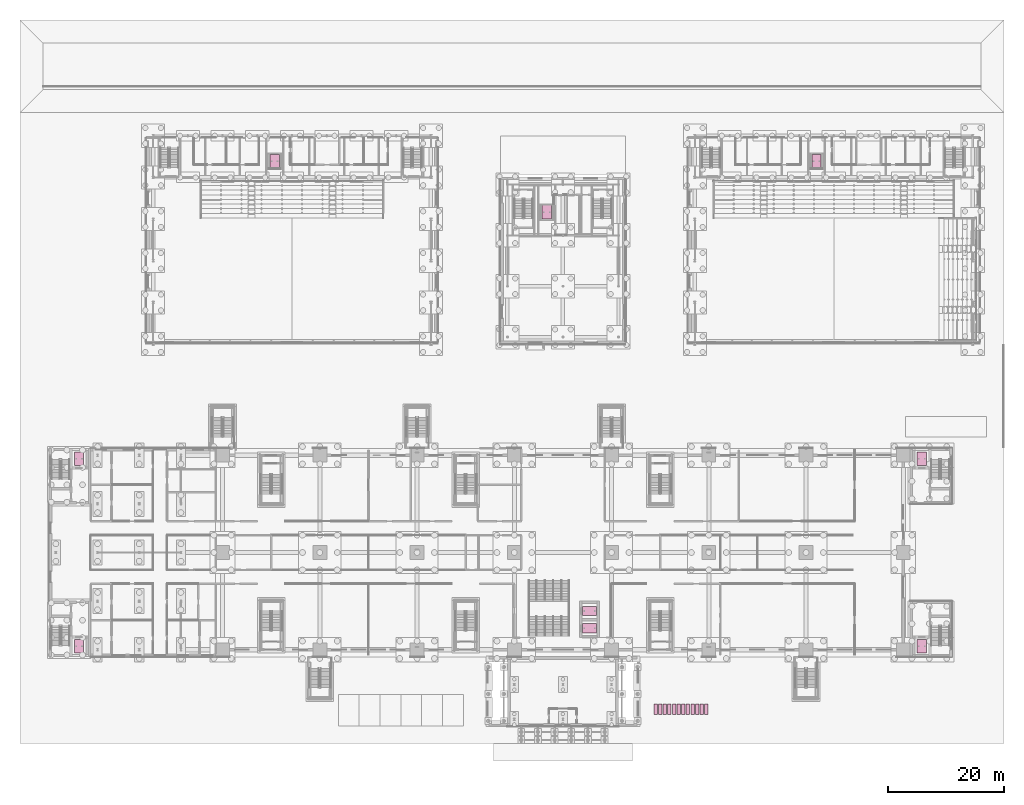
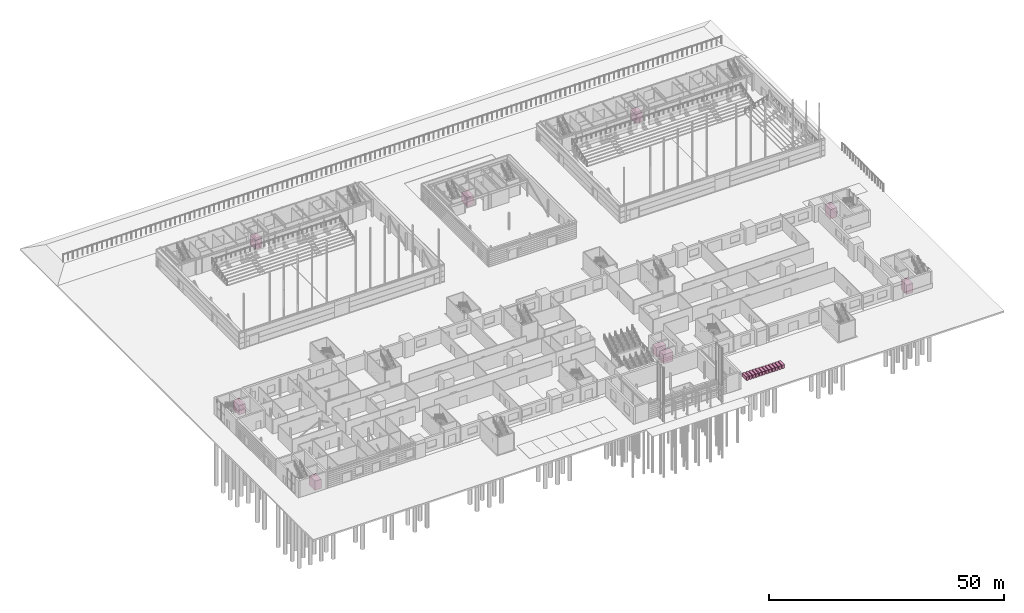
# One storey, part 139 of 139: 12 furniture elements, 9 transport elements.
"""IFC4 building model written with IfcOpenShell, lengths in metres."""

from ifc_helpers import new_model, si_unit, direction, frame, origin, origin_2d, place, context, subcontext, project, spatial, rectangle, extrude, material, type_object, element, save


model = new_model("IFC4")

# Units and contexts
model_context = context("Model", 3, precision=1e-05, world=origin(), true_north=direction((0.0, 1.0)))
body_context = subcontext(model_context, "Body", "Model", "MODEL_VIEW")
ifc_project = project(units=[si_unit("LENGTHUNIT", "METRE"), si_unit("AREAUNIT", "SQUARE_METRE"), si_unit("VOLUMEUNIT", "CUBIC_METRE"), si_unit("PLANEANGLEUNIT", "RADIAN"), si_unit("MASSUNIT", "GRAM", prefix="KILO")], contexts=[model_context])

# Site, building, storey
site_placement = place(None, origin())
site = spatial("IfcSite", under=ifc_project, at=site_placement, CompositionType="ELEMENT")
building_placement = place(site_placement, origin())
building = spatial("IfcBuilding", under=site, at=building_placement, Name="Verrick Yard Athletic Hall", CompositionType="ELEMENT")
storey_placement = place(building_placement, origin())
storey = spatial("IfcBuildingStorey", under=building, at=storey_placement, Name="L00", CompositionType="ELEMENT", Elevation=0.0)

# Furniture
ifc_material_1 = material(Name="Galvanised steel", Category="steel")
furniture_type = type_object("IfcFurnitureType", Name="Bicycle rack", AssemblyPlace="NOTDEFINED", PredefinedType="USERDEFINED", material=ifc_material_1)
for number, where, z_axis, x_axis, name in (
    (1, (114.800048828125, 8.89990234375, 0.0), (0.0, 0.0, 1.0), (1.0, 0.0, 0.0), "Bicycle rack 1"),
    (2, (115.60009765625, 8.89990234375, 0.0), (0.0, 0.0, 1.0), (1.0, 0.0, 0.0), "Bicycle rack 2"),
    (3, (116.39990234375, 8.89990234375, 0.0), (0.0, 0.0, 1.0), (1.0, 0.0, 0.0), "Bicycle rack 3"),
    (4, (117.199951171875, 8.89990234375, 0.0), (0.0, 0.0, 1.0), (1.0, 0.0, 0.0), "Bicycle rack 4"),
    (5, (118.0, 8.89990234375, 0.0), (0.0, 0.0, 1.0), (1.0, 0.0, 0.0), "Bicycle rack 5"),
    (6, (118.800048828125, 8.89990234375, 0.0), (0.0, 0.0, 1.0), (1.0, 0.0, 0.0), "Bicycle rack 6"),
    (7, (119.60009765625, 8.89990234375, 0.0), (0.0, 0.0, 1.0), (1.0, 0.0, 0.0), "Bicycle rack 7"),
    (8, (120.39990234375, 8.89990234375, 0.0), (0.0, 0.0, 1.0), (1.0, 0.0, 0.0), "Bicycle rack 8"),
    (9, (121.199951171875, 8.89990234375, 0.0), (0.0, 0.0, 1.0), (1.0, 0.0, 0.0), "Bicycle rack 9"),
    (10, (122.0, 8.89990234375, 0.0), (0.0, 0.0, 1.0), (1.0, 0.0, 0.0), "Bicycle rack 10"),
    (11, (122.800048828125, 8.89990234375, 0.0), (0.0, 0.0, 1.0), (1.0, 0.0, 0.0), "Bicycle rack 11"),
    (12, (123.60009765625, 8.89990234375, 0.0), (0.0, 0.0, 1.0), (1.0, 0.0, 0.0), "Bicycle rack 12"),
):
    element("IfcFurniture", number, at=place(storey_placement, frame(where, z_axis=z_axis, x_axis=x_axis)), inside=storey, type_object=furniture_type, Name=name, ObjectType="BICYCLE RACK", PredefinedType="USERDEFINED", context=body_context, shape_type="SweptSolid", body=[
        extrude(rectangle(XDim=0.60009765625, YDim=1.800048828125, at=origin_2d()), origin(), (0.0, 0.0, 1.0), 0.89990234375),
    ])

# Transport elements
ifc_material_2 = material(Name="Stainless steel", Category="steel")
transport_element_type = type_object("IfcTransportElementType", Name="Lift car", PredefinedType="ELEVATOR", material=ifc_material_2)
for number, where, z_axis, x_axis, name in (
    (13, (15.199951171875, 19.800048828125, 0.050048828125), (0.0, 0.0, 1.0), (1.0, 0.0, 0.0), "Lift Wing south-west"),
    (14, (15.199951171875, 52.199951171875, 0.050048828125), (0.0, 0.0, 1.0), (1.0, 0.0, 0.0), "Lift Wing north-west"),
    (15, (160.800048828125, 19.800048828125, 0.050048828125), (0.0, 0.0, 1.0), (1.0, 0.0, 0.0), "Lift Plinth south-east"),
    (16, (160.800048828125, 52.199951171875, 0.050048828125), (0.0, 0.0, 1.0), (1.0, 0.0, 0.0), "Lift Plinth north-east"),
    (17, (142.60009765625, 103.574951171875, 0.050048828125), (0.0, 0.0, 1.0), (1.0, 0.0, 0.0), "Lift Sports Hall A band"),
    (18, (49.0, 103.574951171875, 0.050048828125), (0.0, 0.0, 1.0), (1.0, 0.0, 0.0), "Lift Sports Hall B band"),
    (19, (96.0, 94.800048828125, 0.050048828125), (0.0, 0.0, 1.0), (1.0, 0.0, 0.0), "Lift Climbing hall"),
):
    element("IfcTransportElement", number, at=place(storey_placement, frame(where, z_axis=z_axis, x_axis=x_axis)), inside=storey, type_object=transport_element_type, Name=name, PredefinedType="ELEVATOR", context=body_context, shape_type="SweptSolid", body=[
        extrude(rectangle(XDim=1.60009765625, YDim=2.39990234375, at=origin_2d()), origin(), (0.0, 0.0, 1.0), 2.39990234375),
    ])
for number, where, z_axis, x_axis, name in (
    (20, (103.39990234375, 22.89990234375, 0.050048828125), (0.0, 0.0, 1.0), (1.0, 0.0, 0.0), "Lift Foyer 1"),
    (21, (103.39990234375, 25.89990234375, 0.050048828125), (0.0, 0.0, 1.0), (1.0, 0.0, 0.0), "Lift Foyer 2"),
):
    element("IfcTransportElement", number, at=place(storey_placement, frame(where, z_axis=z_axis, x_axis=x_axis)), inside=storey, type_object=transport_element_type, Name=name, PredefinedType="ELEVATOR", context=body_context, shape_type="SweptSolid", body=[
        extrude(rectangle(XDim=2.39990234375, YDim=1.60009765625, at=origin_2d()), origin(), (0.0, 0.0, 1.0), 2.39990234375),
    ])

save(model, "model.ifc")
